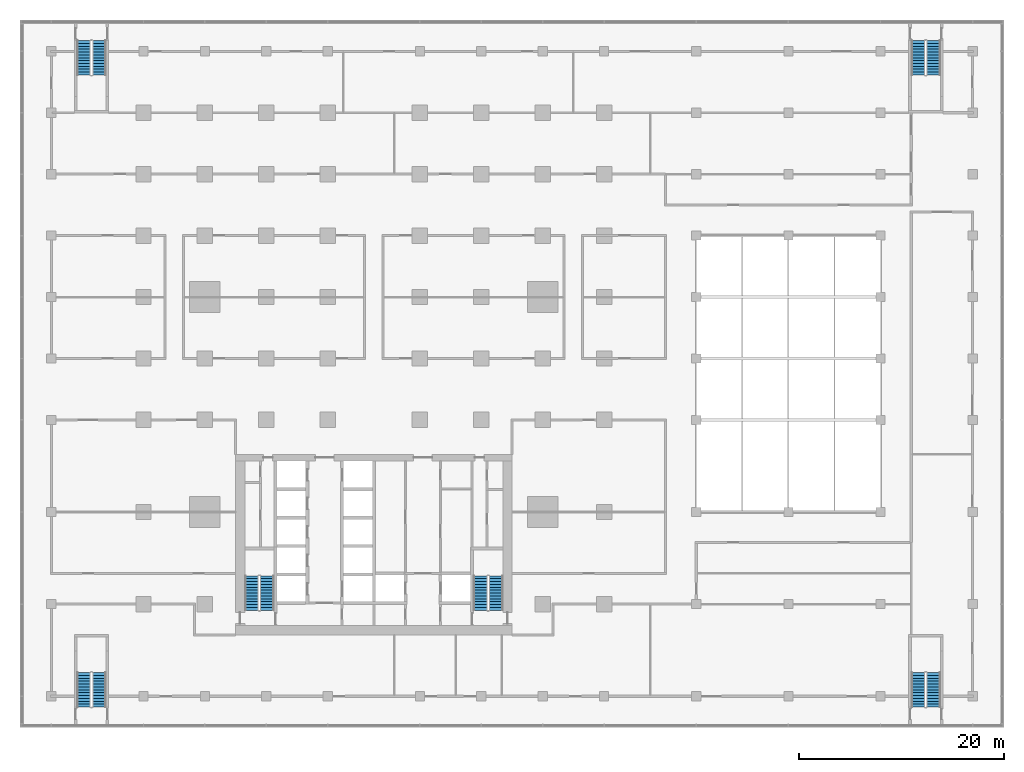
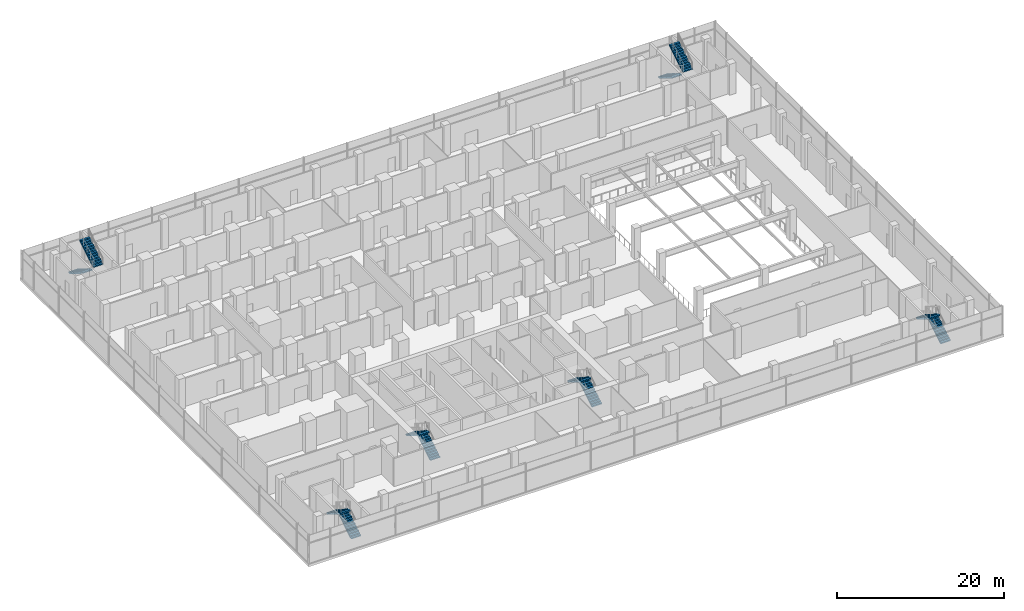
# One storey, part 20 of 22: 12 stair flights, 6 elements without a shape of their own.
"""IFC4 building model written with IfcOpenShell, lengths in metres."""

from ifc_helpers import new_model, si_unit, direction, frame, origin, place, context, subcontext, project, spatial, polyline, outline, extrude, material, type_object, element, aggregate, save


model = new_model("IFC4")

# Units and contexts
model_context = context("Model", 3, precision=1e-05, world=origin(), true_north=direction((0.0, 1.0)))
body_context = subcontext(model_context, "Body", "Model", "MODEL_VIEW")
ifc_project = project(units=[si_unit("LENGTHUNIT", "METRE"), si_unit("AREAUNIT", "SQUARE_METRE"), si_unit("VOLUMEUNIT", "CUBIC_METRE"), si_unit("PLANEANGLEUNIT", "RADIAN"), si_unit("MASSUNIT", "GRAM", prefix="KILO")], contexts=[model_context])

# Site, building, storey
site_placement = place(None, origin())
site = spatial("IfcSite", under=ifc_project, at=site_placement, CompositionType="ELEMENT")
building_placement = place(site_placement, origin())
building = spatial("IfcBuilding", under=site, at=building_placement, Name="Finial Court Residences", CompositionType="ELEMENT")
storey_placement = place(building_placement, frame((0.0, 0.0, 28.0)))
storey = spatial("IfcBuildingStorey", under=building, at=storey_placement, Name="L05", CompositionType="ELEMENT", Elevation=28.0)

# Stair, stair flights
ifc_material = material(Name="Concrete C50/60", Category="concrete")
stair_type = type_object("IfcStairType", Name="Exit stair 26 risers of 173.1 mm", PredefinedType="HALF_TURN_STAIR", material=ifc_material)
stair_1_placement = place(storey_placement, origin())
stair_1 = element("IfcStair", 1, at=stair_1_placement, inside=storey, type_object=stair_type, Name="L05 Exit stair ST-1", PredefinedType="HALF_TURN_STAIR")
stair_flight_type = type_object("IfcStairFlightType", Name="Exit stair flight", PredefinedType="STRAIGHT", material=ifc_material)
stair_flight_1_placement = place(storey_placement, frame((-10.425048828125, -23.10009765625, 0.0), z_axis=(0.0, 0.0, 1.0), x_axis=(0.0, 1.0, 0.0)))
stair_flight_1 = element("IfcStairFlight", 2, at=stair_flight_1_placement, type_object=stair_flight_type, Name="ST-1 flight 1", NumberOfRisers=13, NumberOfTreads=12, PredefinedType="STRAIGHT", RiserHeight=0.173076923, TreadLength=0.28, context=body_context, shape_type="SweptSolid", body=[
    extrude(outline(polyline([(0.0, 0.0), (0.0, 0.173095703125), (0.280029296875, 0.173095703125), (0.280029296875, 0.34619140625), (0.56005859375, 0.34619140625), (0.56005859375, 0.519287109375), (0.840087890625, 0.519287109375), (0.840087890625, 0.6923828125), (1.1201171875, 0.6923828125), (1.1201171875, 0.865478515625), (1.39990234375, 0.865478515625), (1.39990234375, 1.03857421875), (1.679931640625, 1.03857421875), (1.679931640625, 1.21142578125), (1.9599609375, 1.21142578125), (1.9599609375, 1.384521484375), (2.239990234375, 1.384521484375), (2.239990234375, 1.5576171875), (2.52001953125, 1.5576171875), (2.52001953125, 1.730712890625), (2.800048828125, 1.730712890625), (2.800048828125, 1.90380859375), (3.080078125, 1.90380859375), (3.080078125, 2.076904296875), (3.360107421875, 2.076904296875), (3.360107421875, 2.25), (3.360107421875, 1.900634765625), (0.28515625, 0.0), (0.0, 0.0)])), frame((0.0, 0.675048828125, 0.0), z_axis=(0.0, -1.0, 0.0), x_axis=(1.0, 0.0, 0.0)), (0.0, 0.0, 1.0), 1.35009765625),
])
stair_flight_2_placement = place(storey_placement, frame((-11.925048828125, -19.739990234375, 2.25), z_axis=(0.0, 0.0, 1.0), x_axis=(0.0, -1.0, 0.0)))
stair_flight_2 = element("IfcStairFlight", 3, at=stair_flight_2_placement, type_object=stair_flight_type, Name="ST-1 flight 2", NumberOfRisers=13, NumberOfTreads=12, PredefinedType="STRAIGHT", RiserHeight=0.173076923, TreadLength=0.28, context=body_context, shape_type="SweptSolid", body=[
    extrude(outline(polyline([(0.0, 0.0), (0.0, 0.173095703125), (0.280029296875, 0.173095703125), (0.280029296875, 0.34619140625), (0.56005859375, 0.34619140625), (0.56005859375, 0.519287109375), (0.840087890625, 0.519287109375), (0.840087890625, 0.6923828125), (1.1201171875, 0.6923828125), (1.1201171875, 0.865478515625), (1.39990234375, 0.865478515625), (1.39990234375, 1.03857421875), (1.679931640625, 1.03857421875), (1.679931640625, 1.21142578125), (1.9599609375, 1.21142578125), (1.9599609375, 1.384521484375), (2.239990234375, 1.384521484375), (2.239990234375, 1.5576171875), (2.52001953125, 1.5576171875), (2.52001953125, 1.730712890625), (2.800048828125, 1.730712890625), (2.800048828125, 1.90380859375), (3.080078125, 1.90380859375), (3.080078125, 2.076904296875), (3.360107421875, 2.076904296875), (3.360107421875, 2.25), (3.360107421875, 1.900634765625), (0.28515625, 0.0), (0.0, 0.0)])), frame((0.0, 0.675048828125, 0.0), z_axis=(0.0, -1.0, 0.0), x_axis=(1.0, 0.0, 0.0)), (0.0, 0.0, 1.0), 1.35009765625),
])
aggregate(stair_1, [stair_flight_1, stair_flight_2])

stair_2_placement = place(storey_placement, origin())
stair_2 = element("IfcStair", 4, at=stair_2_placement, inside=storey, type_object=stair_type, Name="L05 Exit stair ST-2", PredefinedType="HALF_TURN_STAIR")
stair_flight_3_placement = place(storey_placement, frame((11.925048828125, -23.10009765625, 0.0), z_axis=(0.0, 0.0, 1.0), x_axis=(0.0, 1.0, 0.0)))
stair_flight_3 = element("IfcStairFlight", 5, at=stair_flight_3_placement, type_object=stair_flight_type, Name="ST-2 flight 1", NumberOfRisers=13, NumberOfTreads=12, PredefinedType="STRAIGHT", RiserHeight=0.173076923, TreadLength=0.28, context=body_context, shape_type="SweptSolid", body=[
    extrude(outline(polyline([(0.0, 0.0), (0.0, 0.173095703125), (0.280029296875, 0.173095703125), (0.280029296875, 0.34619140625), (0.56005859375, 0.34619140625), (0.56005859375, 0.519287109375), (0.840087890625, 0.519287109375), (0.840087890625, 0.6923828125), (1.1201171875, 0.6923828125), (1.1201171875, 0.865478515625), (1.39990234375, 0.865478515625), (1.39990234375, 1.03857421875), (1.679931640625, 1.03857421875), (1.679931640625, 1.21142578125), (1.9599609375, 1.21142578125), (1.9599609375, 1.384521484375), (2.239990234375, 1.384521484375), (2.239990234375, 1.5576171875), (2.52001953125, 1.5576171875), (2.52001953125, 1.730712890625), (2.800048828125, 1.730712890625), (2.800048828125, 1.90380859375), (3.080078125, 1.90380859375), (3.080078125, 2.076904296875), (3.360107421875, 2.076904296875), (3.360107421875, 2.25), (3.360107421875, 1.900634765625), (0.28515625, 0.0), (0.0, 0.0)])), frame((0.0, 0.675048828125, 0.0), z_axis=(0.0, -1.0, 0.0), x_axis=(1.0, 0.0, 0.0)), (0.0, 0.0, 1.0), 1.35009765625),
])
stair_flight_4_placement = place(storey_placement, frame((10.425048828125, -19.739990234375, 2.25), z_axis=(0.0, 0.0, 1.0), x_axis=(0.0, -1.0, 0.0)))
stair_flight_4 = element("IfcStairFlight", 6, at=stair_flight_4_placement, type_object=stair_flight_type, Name="ST-2 flight 2", NumberOfRisers=13, NumberOfTreads=12, PredefinedType="STRAIGHT", RiserHeight=0.173076923, TreadLength=0.28, context=body_context, shape_type="SweptSolid", body=[
    extrude(outline(polyline([(0.0, 0.0), (0.0, 0.173095703125), (0.280029296875, 0.173095703125), (0.280029296875, 0.34619140625), (0.56005859375, 0.34619140625), (0.56005859375, 0.519287109375), (0.840087890625, 0.519287109375), (0.840087890625, 0.6923828125), (1.1201171875, 0.6923828125), (1.1201171875, 0.865478515625), (1.39990234375, 0.865478515625), (1.39990234375, 1.03857421875), (1.679931640625, 1.03857421875), (1.679931640625, 1.21142578125), (1.9599609375, 1.21142578125), (1.9599609375, 1.384521484375), (2.239990234375, 1.384521484375), (2.239990234375, 1.5576171875), (2.52001953125, 1.5576171875), (2.52001953125, 1.730712890625), (2.800048828125, 1.730712890625), (2.800048828125, 1.90380859375), (3.080078125, 1.90380859375), (3.080078125, 2.076904296875), (3.360107421875, 2.076904296875), (3.360107421875, 2.25), (3.360107421875, 1.900634765625), (0.28515625, 0.0), (0.0, 0.0)])), frame((0.0, 0.675048828125, 0.0), z_axis=(0.0, -1.0, 0.0), x_axis=(1.0, 0.0, 0.0)), (0.0, 0.0, 1.0), 1.35009765625),
])
aggregate(stair_2, [stair_flight_3, stair_flight_4])

stair_3_placement = place(storey_placement, origin())
stair_3 = element("IfcStair", 7, at=stair_3_placement, inside=storey, type_object=stair_type, Name="L05 Exit Stair 3", PredefinedType="HALF_TURN_STAIR")
stair_flight_5_placement = place(storey_placement, frame((54.675048828125, -32.550048828125, 0.0), z_axis=(0.0, 0.0, 1.0), x_axis=(0.0, 1.0, 0.0)))
stair_flight_5 = element("IfcStairFlight", 8, at=stair_flight_5_placement, type_object=stair_flight_type, Name="ST-3 flight 1", NumberOfRisers=13, NumberOfTreads=12, PredefinedType="STRAIGHT", RiserHeight=0.173076923, TreadLength=0.28, context=body_context, shape_type="SweptSolid", body=[
    extrude(outline(polyline([(0.0, 0.0), (0.0, 0.173095703125), (0.280029296875, 0.173095703125), (0.280029296875, 0.34619140625), (0.56005859375, 0.34619140625), (0.56005859375, 0.519287109375), (0.840087890625, 0.519287109375), (0.840087890625, 0.6923828125), (1.1201171875, 0.6923828125), (1.1201171875, 0.865478515625), (1.39990234375, 0.865478515625), (1.39990234375, 1.03857421875), (1.679931640625, 1.03857421875), (1.679931640625, 1.21142578125), (1.9599609375, 1.21142578125), (1.9599609375, 1.384521484375), (2.239990234375, 1.384521484375), (2.239990234375, 1.5576171875), (2.52001953125, 1.5576171875), (2.52001953125, 1.730712890625), (2.800048828125, 1.730712890625), (2.800048828125, 1.90380859375), (3.080078125, 1.90380859375), (3.080078125, 2.076904296875), (3.360107421875, 2.076904296875), (3.360107421875, 2.25), (3.360107421875, 1.900634765625), (0.28515625, 0.0), (0.0, 0.0)])), frame((0.0, 0.675048828125, 0.0), z_axis=(0.0, -1.0, 0.0), x_axis=(1.0, 0.0, 0.0)), (0.0, 0.0, 1.0), 1.35009765625),
])
stair_flight_6_placement = place(storey_placement, frame((53.175048828125, -29.18994140625, 2.25), z_axis=(0.0, 0.0, 1.0), x_axis=(0.0, -1.0, 0.0)))
stair_flight_6 = element("IfcStairFlight", 9, at=stair_flight_6_placement, type_object=stair_flight_type, Name="ST-3 flight 2", NumberOfRisers=13, NumberOfTreads=12, PredefinedType="STRAIGHT", RiserHeight=0.173076923, TreadLength=0.28, context=body_context, shape_type="SweptSolid", body=[
    extrude(outline(polyline([(0.0, 0.0), (0.0, 0.173095703125), (0.280029296875, 0.173095703125), (0.280029296875, 0.34619140625), (0.56005859375, 0.34619140625), (0.56005859375, 0.519287109375), (0.840087890625, 0.519287109375), (0.840087890625, 0.6923828125), (1.1201171875, 0.6923828125), (1.1201171875, 0.865478515625), (1.39990234375, 0.865478515625), (1.39990234375, 1.03857421875), (1.679931640625, 1.03857421875), (1.679931640625, 1.21142578125), (1.9599609375, 1.21142578125), (1.9599609375, 1.384521484375), (2.239990234375, 1.384521484375), (2.239990234375, 1.5576171875), (2.52001953125, 1.5576171875), (2.52001953125, 1.730712890625), (2.800048828125, 1.730712890625), (2.800048828125, 1.90380859375), (3.080078125, 1.90380859375), (3.080078125, 2.076904296875), (3.360107421875, 2.076904296875), (3.360107421875, 2.25), (3.360107421875, 1.900634765625), (0.28515625, 0.0), (0.0, 0.0)])), frame((0.0, 0.675048828125, 0.0), z_axis=(0.0, -1.0, 0.0), x_axis=(1.0, 0.0, 0.0)), (0.0, 0.0, 1.0), 1.35009765625),
])
aggregate(stair_3, [stair_flight_5, stair_flight_6])

stair_4_placement = place(storey_placement, origin())
stair_4 = element("IfcStair", 10, at=stair_4_placement, inside=storey, type_object=stair_type, Name="L05 Exit Stair 4", PredefinedType="HALF_TURN_STAIR")
stair_flight_7_placement = place(storey_placement, frame((-26.824951171875, -32.550048828125, 0.0), z_axis=(0.0, 0.0, 1.0), x_axis=(0.0, 1.0, 0.0)))
stair_flight_7 = element("IfcStairFlight", 11, at=stair_flight_7_placement, type_object=stair_flight_type, Name="ST-4 flight 1", NumberOfRisers=13, NumberOfTreads=12, PredefinedType="STRAIGHT", RiserHeight=0.173076923, TreadLength=0.28, context=body_context, shape_type="SweptSolid", body=[
    extrude(outline(polyline([(0.0, 0.0), (0.0, 0.173095703125), (0.280029296875, 0.173095703125), (0.280029296875, 0.34619140625), (0.56005859375, 0.34619140625), (0.56005859375, 0.519287109375), (0.840087890625, 0.519287109375), (0.840087890625, 0.6923828125), (1.1201171875, 0.6923828125), (1.1201171875, 0.865478515625), (1.39990234375, 0.865478515625), (1.39990234375, 1.03857421875), (1.679931640625, 1.03857421875), (1.679931640625, 1.21142578125), (1.9599609375, 1.21142578125), (1.9599609375, 1.384521484375), (2.239990234375, 1.384521484375), (2.239990234375, 1.5576171875), (2.52001953125, 1.5576171875), (2.52001953125, 1.730712890625), (2.800048828125, 1.730712890625), (2.800048828125, 1.90380859375), (3.080078125, 1.90380859375), (3.080078125, 2.076904296875), (3.360107421875, 2.076904296875), (3.360107421875, 2.25), (3.360107421875, 1.900634765625), (0.28515625, 0.0), (0.0, 0.0)])), frame((0.0, 0.675048828125, 0.0), z_axis=(0.0, -1.0, 0.0), x_axis=(1.0, 0.0, 0.0)), (0.0, 0.0, 1.0), 1.35009765625),
])
stair_flight_8_placement = place(storey_placement, frame((-28.324951171875, -29.18994140625, 2.25), z_axis=(0.0, 0.0, 1.0), x_axis=(0.0, -1.0, 0.0)))
stair_flight_8 = element("IfcStairFlight", 12, at=stair_flight_8_placement, type_object=stair_flight_type, Name="ST-4 flight 2", NumberOfRisers=13, NumberOfTreads=12, PredefinedType="STRAIGHT", RiserHeight=0.173076923, TreadLength=0.28, context=body_context, shape_type="SweptSolid", body=[
    extrude(outline(polyline([(0.0, 0.0), (0.0, 0.173095703125), (0.280029296875, 0.173095703125), (0.280029296875, 0.34619140625), (0.56005859375, 0.34619140625), (0.56005859375, 0.519287109375), (0.840087890625, 0.519287109375), (0.840087890625, 0.6923828125), (1.1201171875, 0.6923828125), (1.1201171875, 0.865478515625), (1.39990234375, 0.865478515625), (1.39990234375, 1.03857421875), (1.679931640625, 1.03857421875), (1.679931640625, 1.21142578125), (1.9599609375, 1.21142578125), (1.9599609375, 1.384521484375), (2.239990234375, 1.384521484375), (2.239990234375, 1.5576171875), (2.52001953125, 1.5576171875), (2.52001953125, 1.730712890625), (2.800048828125, 1.730712890625), (2.800048828125, 1.90380859375), (3.080078125, 1.90380859375), (3.080078125, 2.076904296875), (3.360107421875, 2.076904296875), (3.360107421875, 2.25), (3.360107421875, 1.900634765625), (0.28515625, 0.0), (0.0, 0.0)])), frame((0.0, 0.675048828125, 0.0), z_axis=(0.0, -1.0, 0.0), x_axis=(1.0, 0.0, 0.0)), (0.0, 0.0, 1.0), 1.35009765625),
])
aggregate(stair_4, [stair_flight_7, stair_flight_8])

stair_5_placement = place(storey_placement, origin())
stair_5 = element("IfcStair", 13, at=stair_5_placement, inside=storey, type_object=stair_type, Name="L05 Exit Stair 5", PredefinedType="HALF_TURN_STAIR")
stair_flight_9_placement = place(storey_placement, frame((53.175048828125, 32.550048828125, 0.0), z_axis=(0.0, 0.0, 1.0), x_axis=(0.0, -1.0, 0.0)))
stair_flight_9 = element("IfcStairFlight", 14, at=stair_flight_9_placement, type_object=stair_flight_type, Name="ST-5 flight 1", NumberOfRisers=13, NumberOfTreads=12, PredefinedType="STRAIGHT", RiserHeight=0.173076923, TreadLength=0.28, context=body_context, shape_type="SweptSolid", body=[
    extrude(outline(polyline([(0.0, 0.0), (0.0, 0.173095703125), (0.280029296875, 0.173095703125), (0.280029296875, 0.34619140625), (0.56005859375, 0.34619140625), (0.56005859375, 0.519287109375), (0.840087890625, 0.519287109375), (0.840087890625, 0.6923828125), (1.1201171875, 0.6923828125), (1.1201171875, 0.865478515625), (1.39990234375, 0.865478515625), (1.39990234375, 1.03857421875), (1.679931640625, 1.03857421875), (1.679931640625, 1.21142578125), (1.9599609375, 1.21142578125), (1.9599609375, 1.384521484375), (2.239990234375, 1.384521484375), (2.239990234375, 1.5576171875), (2.52001953125, 1.5576171875), (2.52001953125, 1.730712890625), (2.800048828125, 1.730712890625), (2.800048828125, 1.90380859375), (3.080078125, 1.90380859375), (3.080078125, 2.076904296875), (3.360107421875, 2.076904296875), (3.360107421875, 2.25), (3.360107421875, 1.900634765625), (0.28515625, 0.0), (0.0, 0.0)])), frame((0.0, 0.675048828125, 0.0), z_axis=(0.0, -1.0, 0.0), x_axis=(1.0, 0.0, 0.0)), (0.0, 0.0, 1.0), 1.35009765625),
])
stair_flight_10_placement = place(storey_placement, frame((54.675048828125, 29.18994140625, 2.25), z_axis=(0.0, 0.0, 1.0), x_axis=(0.0, 1.0, 0.0)))
stair_flight_10 = element("IfcStairFlight", 15, at=stair_flight_10_placement, type_object=stair_flight_type, Name="ST-5 flight 2", NumberOfRisers=13, NumberOfTreads=12, PredefinedType="STRAIGHT", RiserHeight=0.173076923, TreadLength=0.28, context=body_context, shape_type="SweptSolid", body=[
    extrude(outline(polyline([(0.0, 0.0), (0.0, 0.173095703125), (0.280029296875, 0.173095703125), (0.280029296875, 0.34619140625), (0.56005859375, 0.34619140625), (0.56005859375, 0.519287109375), (0.840087890625, 0.519287109375), (0.840087890625, 0.6923828125), (1.1201171875, 0.6923828125), (1.1201171875, 0.865478515625), (1.39990234375, 0.865478515625), (1.39990234375, 1.03857421875), (1.679931640625, 1.03857421875), (1.679931640625, 1.21142578125), (1.9599609375, 1.21142578125), (1.9599609375, 1.384521484375), (2.239990234375, 1.384521484375), (2.239990234375, 1.5576171875), (2.52001953125, 1.5576171875), (2.52001953125, 1.730712890625), (2.800048828125, 1.730712890625), (2.800048828125, 1.90380859375), (3.080078125, 1.90380859375), (3.080078125, 2.076904296875), (3.360107421875, 2.076904296875), (3.360107421875, 2.25), (3.360107421875, 1.900634765625), (0.28515625, 0.0), (0.0, 0.0)])), frame((0.0, 0.675048828125, 0.0), z_axis=(0.0, -1.0, 0.0), x_axis=(1.0, 0.0, 0.0)), (0.0, 0.0, 1.0), 1.35009765625),
])
aggregate(stair_5, [stair_flight_9, stair_flight_10])

stair_6_placement = place(storey_placement, origin())
stair_6 = element("IfcStair", 16, at=stair_6_placement, inside=storey, type_object=stair_type, Name="L05 Exit Stair 6", PredefinedType="HALF_TURN_STAIR")
stair_flight_11_placement = place(storey_placement, frame((-28.324951171875, 32.550048828125, 0.0), z_axis=(0.0, 0.0, 1.0), x_axis=(0.0, -1.0, 0.0)))
stair_flight_11 = element("IfcStairFlight", 17, at=stair_flight_11_placement, type_object=stair_flight_type, Name="ST-6 flight 1", NumberOfRisers=13, NumberOfTreads=12, PredefinedType="STRAIGHT", RiserHeight=0.173076923, TreadLength=0.28, context=body_context, shape_type="SweptSolid", body=[
    extrude(outline(polyline([(0.0, 0.0), (0.0, 0.173095703125), (0.280029296875, 0.173095703125), (0.280029296875, 0.34619140625), (0.56005859375, 0.34619140625), (0.56005859375, 0.519287109375), (0.840087890625, 0.519287109375), (0.840087890625, 0.6923828125), (1.1201171875, 0.6923828125), (1.1201171875, 0.865478515625), (1.39990234375, 0.865478515625), (1.39990234375, 1.03857421875), (1.679931640625, 1.03857421875), (1.679931640625, 1.21142578125), (1.9599609375, 1.21142578125), (1.9599609375, 1.384521484375), (2.239990234375, 1.384521484375), (2.239990234375, 1.5576171875), (2.52001953125, 1.5576171875), (2.52001953125, 1.730712890625), (2.800048828125, 1.730712890625), (2.800048828125, 1.90380859375), (3.080078125, 1.90380859375), (3.080078125, 2.076904296875), (3.360107421875, 2.076904296875), (3.360107421875, 2.25), (3.360107421875, 1.900634765625), (0.28515625, 0.0), (0.0, 0.0)])), frame((0.0, 0.675048828125, 0.0), z_axis=(0.0, -1.0, 0.0), x_axis=(1.0, 0.0, 0.0)), (0.0, 0.0, 1.0), 1.35009765625),
])
stair_flight_12_placement = place(storey_placement, frame((-26.824951171875, 29.18994140625, 2.25), z_axis=(0.0, 0.0, 1.0), x_axis=(0.0, 1.0, 0.0)))
stair_flight_12 = element("IfcStairFlight", 18, at=stair_flight_12_placement, type_object=stair_flight_type, Name="ST-6 flight 2", NumberOfRisers=13, NumberOfTreads=12, PredefinedType="STRAIGHT", RiserHeight=0.173076923, TreadLength=0.28, context=body_context, shape_type="SweptSolid", body=[
    extrude(outline(polyline([(0.0, 0.0), (0.0, 0.173095703125), (0.280029296875, 0.173095703125), (0.280029296875, 0.34619140625), (0.56005859375, 0.34619140625), (0.56005859375, 0.519287109375), (0.840087890625, 0.519287109375), (0.840087890625, 0.6923828125), (1.1201171875, 0.6923828125), (1.1201171875, 0.865478515625), (1.39990234375, 0.865478515625), (1.39990234375, 1.03857421875), (1.679931640625, 1.03857421875), (1.679931640625, 1.21142578125), (1.9599609375, 1.21142578125), (1.9599609375, 1.384521484375), (2.239990234375, 1.384521484375), (2.239990234375, 1.5576171875), (2.52001953125, 1.5576171875), (2.52001953125, 1.730712890625), (2.800048828125, 1.730712890625), (2.800048828125, 1.90380859375), (3.080078125, 1.90380859375), (3.080078125, 2.076904296875), (3.360107421875, 2.076904296875), (3.360107421875, 2.25), (3.360107421875, 1.900634765625), (0.28515625, 0.0), (0.0, 0.0)])), frame((0.0, 0.675048828125, 0.0), z_axis=(0.0, -1.0, 0.0), x_axis=(1.0, 0.0, 0.0)), (0.0, 0.0, 1.0), 1.35009765625),
])
aggregate(stair_6, [stair_flight_11, stair_flight_12])

save(model, "model.ifc")
